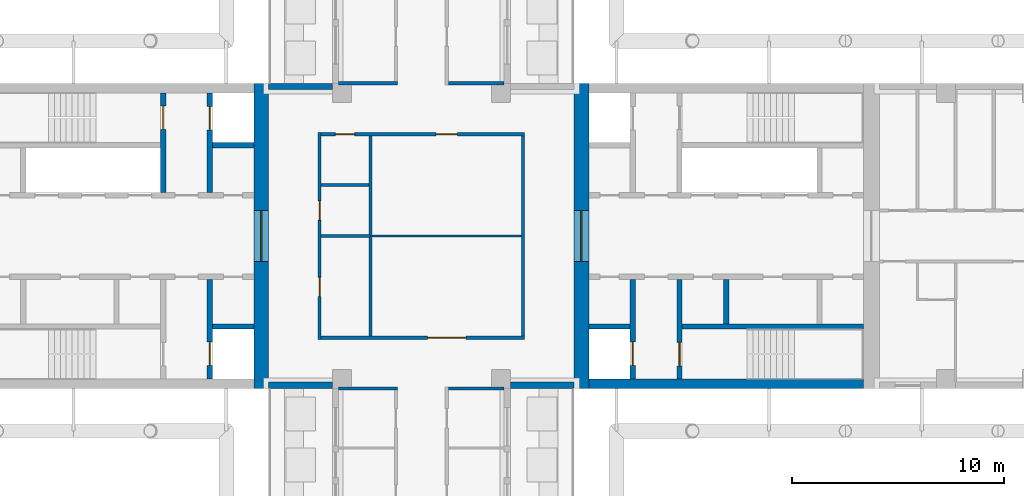
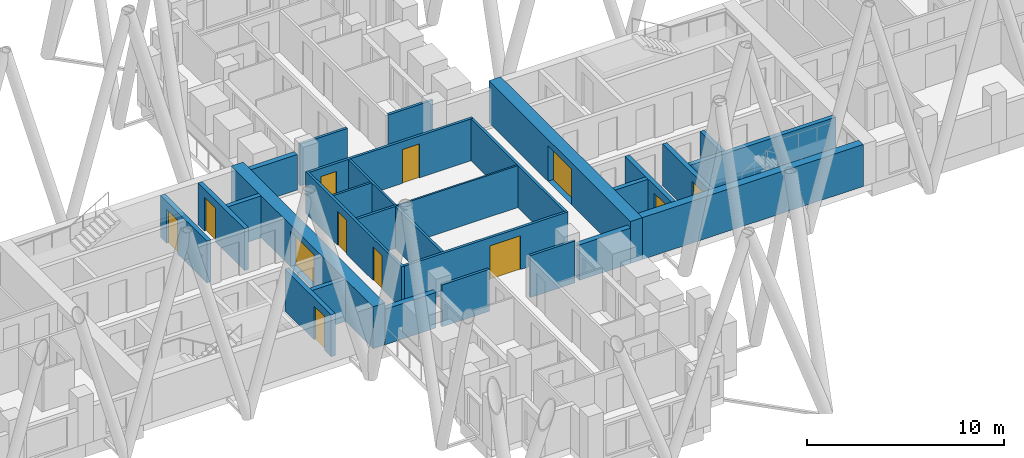
# One storey, part 6 of 13: 29 walls, 12 doors, 12 openings.
"""IFC4 building model written with IfcOpenShell, lengths in metres."""

from ifc_helpers import new_model, si_unit, direction, frame, frame_2d, origin, place, context, subcontext, project, spatial, rectangle, extrude, material, layer, layer_set, type_object, element, fill, save


model = new_model("IFC4")

# Units and contexts
model_context = context("Model", 3, precision=1e-05, world=origin(), true_north=direction((0.0, 1.0)))
body_context = subcontext(model_context, "Body", "Model", "MODEL_VIEW")
ifc_project = project(units=[si_unit("LENGTHUNIT", "METRE"), si_unit("AREAUNIT", "SQUARE_METRE"), si_unit("VOLUMEUNIT", "CUBIC_METRE"), si_unit("PLANEANGLEUNIT", "RADIAN"), si_unit("MASSUNIT", "GRAM", prefix="KILO")], contexts=[model_context])

# Site, building, storey
site_placement = place(None, origin())
site = spatial("IfcSite", under=ifc_project, at=site_placement, CompositionType="ELEMENT")
building_placement = place(site_placement, origin())
building = spatial("IfcBuilding", under=site, at=building_placement, Name="Fustian Cross Tower", CompositionType="ELEMENT")
storey_placement = place(building_placement, frame((0.0, 0.0, 153.300048828125)))
storey = spatial("IfcBuildingStorey", under=building, at=storey_placement, Name="L48", CompositionType="ELEMENT", Elevation=153.300048828125)

# Wall, openings, doors
ifc_material_1 = material(Name="Plasterboard on steel stud", Category="steel")
ifc_layer_1 = layer(ifc_material_1, 0.14990234375)
ifc_layer_set_1 = layer_set([ifc_layer_1], Name="Plasterboard on steel stud")
wall_type_1 = type_object("IfcWallType", Name="COMPARTMENT WALL 150 EI 60", PredefinedType="PARTITIONING", material=ifc_layer_set_1)
wall_1_placement = place(storey_placement, frame((-4.800048828125, -4.875, 0.0), z_axis=(0.0, 0.0, 1.0), x_axis=(0.0, 1.0, 0.0)))
wall_1 = element("IfcWall", 1, at=wall_1_placement, inside=storey, type_object=wall_type_1, Name="Partition 16", PredefinedType="PARTITIONING", context=body_context, shape_type="SweptSolid", body=[
    extrude(rectangle(XDim=9.75, YDim=0.14990234375, at=frame_2d((4.875, 0.0))), origin(), (0.0, 0.0, 1.0), 2.599853515625),
])
opening_1_placement = place(wall_1_placement, frame((5.625, 0.0, 0.0)))
opening_1 = element("IfcOpeningElement", 2, at=opening_1_placement, cuts=wall_1, Name="Opening D21002", PredefinedType="OPENING", context=body_context, shape_type="SweptSolid", body=[
    extrude(rectangle(XDim=0.89990234375, YDim=2.10009765625, at=frame_2d((0.449951171875, 1.050048828125))), frame((0.0, 0.0849609375, 0.0), z_axis=(0.0, -1.0, 0.0), x_axis=(1.0, 0.0, 0.0)), (0.0, 0.0, 1.0), 0.169921875),
])
opening_2_placement = place(wall_1_placement, frame((2.02490234375, 0.0, 0.0)))
opening_2 = element("IfcOpeningElement", 3, at=opening_2_placement, cuts=wall_1, Name="Opening D21003", PredefinedType="OPENING", context=body_context, shape_type="SweptSolid", body=[
    extrude(rectangle(XDim=0.89990234375, YDim=2.10009765625, at=frame_2d((0.449951171875, 1.050048828125))), frame((0.0, 0.0849609375, 0.0), z_axis=(0.0, -1.0, 0.0), x_axis=(1.0, 0.0, 0.0)), (0.0, 0.0, 1.0), 0.169921875),
])
ifc_material_2 = material(Name="Timber fire door set", Category="wood")
door_type_1 = type_object("IfcDoorType", Name="FIRE SWING DOOR 900 FD30S", OperationType="SINGLE_SWING_LEFT", PredefinedType="DOOR", material=ifc_material_2)
door_1_placement = place(opening_1_placement, frame((0.89990234375, 0.0, 0.0), z_axis=(0.0, 0.0, 1.0), x_axis=(-1.0, 0.0, 0.0)))
door_1 = element("IfcDoor", 4, at=door_1_placement, inside=storey, type_object=door_type_1, Name="Door D21002", OperationType="SINGLE_SWING_RIGHT", OverallHeight=2.10009765625, OverallWidth=0.89990234375, PredefinedType="DOOR", context=body_context, shape_type="SweptSolid", body=[
    extrude(rectangle(XDim=0.89990234375, YDim=2.10009765625, at=frame_2d((0.449951171875, 1.050048828125))), frame((0.0, 0.02490234375, 0.0), z_axis=(0.0, -1.0, 0.0), x_axis=(1.0, 0.0, 0.0)), (0.0, 0.0, 1.0), 0.050048828125),
])
fill(opening_1, door_1)
door_2_placement = place(opening_2_placement, frame((0.89990234375, 0.0, 0.0), z_axis=(0.0, 0.0, 1.0), x_axis=(-1.0, 0.0, 0.0)))
door_2 = element("IfcDoor", 5, at=door_2_placement, inside=storey, type_object=door_type_1, Name="Door D21003", OperationType="SINGLE_SWING_RIGHT", OverallHeight=2.10009765625, OverallWidth=0.89990234375, PredefinedType="DOOR", context=body_context, shape_type="SweptSolid", body=[
    extrude(rectangle(XDim=0.89990234375, YDim=2.10009765625, at=frame_2d((0.449951171875, 1.050048828125))), frame((0.0, 0.02490234375, 0.0), z_axis=(0.0, -1.0, 0.0), x_axis=(1.0, 0.0, 0.0)), (0.0, 0.0, 1.0), 0.050048828125),
])
fill(opening_2, door_2)

# Wall, opening, door
wall_2_placement = place(storey_placement, frame((-4.72509765625, -4.800048828125, 0.0), z_axis=(0.0, 0.0, 1.0), x_axis=(1.0, 0.0, 0.0)))
wall_2 = element("IfcWall", 6, at=wall_2_placement, inside=storey, type_object=wall_type_1, Name="Partition 17", PredefinedType="PARTITIONING", context=body_context, shape_type="SweptSolid", body=[
    extrude(rectangle(XDim=9.60009765625, YDim=0.14990234375, at=frame_2d((4.800048828125, 0.0))), origin(), (0.0, 0.0, 1.0), 2.599853515625),
])
opening_3_placement = place(wall_2_placement, frame((5.02490234375, 0.0, 0.0)))
opening_3 = element("IfcOpeningElement", 7, at=opening_3_placement, cuts=wall_2, Name="Opening D21005", PredefinedType="OPENING", context=body_context, shape_type="SweptSolid", body=[
    extrude(rectangle(XDim=1.800048828125, YDim=2.10009765625, at=frame_2d((0.89990234375, 1.050048828125))), frame((0.0, 0.0849609375, 0.0), z_axis=(0.0, -1.0, 0.0), x_axis=(1.0, 0.0, 0.0)), (0.0, 0.0, 1.0), 0.169921875),
])
ifc_material_3 = material(Name="Timber fire door set", Category="wood")
door_type_2 = type_object("IfcDoorType", Name="FIRE DOUBLE DOOR 1800 FD30S", OperationType="DOUBLE_DOOR_DOUBLE_SWING", PredefinedType="DOOR", material=ifc_material_3)
door_3_placement = place(opening_3_placement, frame((1.800048828125, 0.0, 0.0), z_axis=(0.0, 0.0, 1.0), x_axis=(-1.0, 0.0, 0.0)))
door_3 = element("IfcDoor", 8, at=door_3_placement, inside=storey, type_object=door_type_2, Name="Door D21005", OperationType="DOUBLE_DOOR_DOUBLE_SWING", OverallHeight=2.10009765625, OverallWidth=1.800048828125, PredefinedType="DOOR", context=body_context, shape_type="SweptSolid", body=[
    extrude(rectangle(XDim=1.800048828125, YDim=2.10009765625, at=frame_2d((0.89990234375, 1.050048828125))), frame((0.0, 0.02490234375, 0.0), z_axis=(0.0, -1.0, 0.0), x_axis=(1.0, 0.0, 0.0)), (0.0, 0.0, 1.0), 0.050048828125),
])
fill(opening_3, door_3)

# Wall
wall_3_placement = place(storey_placement, frame((-4.72509765625, 0.0, 0.0), z_axis=(0.0, 0.0, 1.0), x_axis=(1.0, 0.0, 0.0)))
element("IfcWall", 9, at=wall_3_placement, inside=storey, type_object=wall_type_1, Name="Partition 18", PredefinedType="PARTITIONING", context=body_context, shape_type="SweptSolid", body=[
    extrude(rectangle(XDim=2.3251953125, YDim=0.14990234375, at=frame_2d((1.16259765625, 0.0))), origin(), (0.0, 0.0, 1.0), 2.599853515625),
])

# Wall, openings, doors
wall_4_placement = place(storey_placement, frame((-4.72509765625, 4.800048828125, 0.0), z_axis=(0.0, 0.0, 1.0), x_axis=(1.0, 0.0, 0.0)))
wall_4 = element("IfcWall", 10, at=wall_4_placement, inside=storey, type_object=wall_type_1, Name="Partition 20", PredefinedType="PARTITIONING", context=body_context, shape_type="SweptSolid", body=[
    extrude(rectangle(XDim=9.60009765625, YDim=0.14990234375, at=frame_2d((4.800048828125, 0.0))), origin(), (0.0, 0.0, 1.0), 2.599853515625),
])
opening_4_placement = place(wall_4_placement, frame((0.675048828125, 0.0, 0.0)))
opening_4 = element("IfcOpeningElement", 11, at=opening_4_placement, cuts=wall_4, Name="Opening D21001", PredefinedType="OPENING", context=body_context, shape_type="SweptSolid", body=[
    extrude(rectangle(XDim=0.89990234375, YDim=2.10009765625, at=frame_2d((0.449951171875, 1.050048828125))), frame((0.0, 0.0849609375, 0.0), z_axis=(0.0, -1.0, 0.0), x_axis=(1.0, 0.0, 0.0)), (0.0, 0.0, 1.0), 0.169921875),
])
opening_5_placement = place(wall_4_placement, frame((5.425048828125, 0.0, 0.0)))
opening_5 = element("IfcOpeningElement", 12, at=opening_5_placement, cuts=wall_4, Name="Opening D21004", PredefinedType="OPENING", context=body_context, shape_type="SweptSolid", body=[
    extrude(rectangle(XDim=1.0, YDim=2.10009765625, at=frame_2d((0.5, 1.050048828125))), frame((0.0, 0.0849609375, 0.0), z_axis=(0.0, -1.0, 0.0), x_axis=(1.0, 0.0, 0.0)), (0.0, 0.0, 1.0), 0.169921875),
])
ifc_material_4 = material(Name="Timber fire door set", Category="wood")
door_type_3 = type_object("IfcDoorType", Name="FIRE SWING DOOR 1000 FD30S", OperationType="SINGLE_SWING_LEFT", PredefinedType="DOOR", material=ifc_material_4)
door_4_placement = place(opening_5_placement, frame((1.0, 0.0, 0.0), z_axis=(0.0, 0.0, 1.0), x_axis=(-1.0, 0.0, 0.0)))
door_4 = element("IfcDoor", 13, at=door_4_placement, inside=storey, type_object=door_type_3, Name="Door D21004", OperationType="SINGLE_SWING_RIGHT", OverallHeight=2.10009765625, OverallWidth=1.0, PredefinedType="DOOR", context=body_context, shape_type="SweptSolid", body=[
    extrude(rectangle(XDim=1.0, YDim=2.10009765625, at=frame_2d((0.5, 1.050048828125))), frame((0.0, 0.02490234375, 0.0), z_axis=(0.0, -1.0, 0.0), x_axis=(1.0, 0.0, 0.0)), (0.0, 0.0, 1.0), 0.050048828125),
])
fill(opening_5, door_4)
door_5_placement = place(opening_4_placement, frame((0.89990234375, 0.0, 0.0), z_axis=(0.0, 0.0, 1.0), x_axis=(-1.0, 0.0, 0.0)))
door_5 = element("IfcDoor", 14, at=door_5_placement, inside=storey, type_object=door_type_1, Name="Door D21001", OperationType="SINGLE_SWING_RIGHT", OverallHeight=2.10009765625, OverallWidth=0.89990234375, PredefinedType="DOOR", context=body_context, shape_type="SweptSolid", body=[
    extrude(rectangle(XDim=0.89990234375, YDim=2.10009765625, at=frame_2d((0.449951171875, 1.050048828125))), frame((0.0, 0.02490234375, 0.0), z_axis=(0.0, -1.0, 0.0), x_axis=(1.0, 0.0, 0.0)), (0.0, 0.0, 1.0), 0.050048828125),
])
fill(opening_4, door_5)

# Walls
for number, where, z_axis, x_axis, name in (
    (15, (-3.89990234375, -7.199951171875, 0.0), (0.0, 0.0, 1.0), (1.0, 0.0, 0.0), "Partition 23"),
    (16, (-3.89990234375, 7.199951171875, 0.0), (0.0, 0.0, 1.0), (1.0, 0.0, 0.0), "Partition 24"),
):
    element("IfcWall", number, at=place(storey_placement, frame(where, z_axis=z_axis, x_axis=x_axis)), inside=storey, type_object=wall_type_1, Name=name, PredefinedType="PARTITIONING", context=body_context, shape_type="SweptSolid", body=[
        extrude(rectangle(XDim=2.77490234375, YDim=0.14990234375, at=frame_2d((1.387451171875, 0.0))), origin(), (0.0, 0.0, 1.0), 2.599853515625),
    ])
wall_5_placement = place(storey_placement, frame((-2.39990234375, -4.72509765625, 0.0), z_axis=(0.0, 0.0, 1.0), x_axis=(0.0, 1.0, 0.0)))
element("IfcWall", 17, at=wall_5_placement, inside=storey, type_object=wall_type_1, Name="Partition 33", PredefinedType="PARTITIONING", context=body_context, shape_type="SweptSolid", body=[
    extrude(rectangle(XDim=4.650146484375, YDim=0.14990234375, at=frame_2d((2.3251953125, 0.0))), origin(), (0.0, 0.0, 1.0), 2.599853515625),
])
for number, where, z_axis, x_axis, name in (
    (18, (1.27490234375, -7.199951171875, 0.0), (0.0, 0.0, 1.0), (1.0, 0.0, 0.0), "Partition 45"),
    (19, (1.27490234375, 7.199951171875, 0.0), (0.0, 0.0, 1.0), (1.0, 0.0, 0.0), "Partition 47"),
):
    element("IfcWall", number, at=place(storey_placement, frame(where, z_axis=z_axis, x_axis=x_axis)), inside=storey, type_object=wall_type_1, Name=name, PredefinedType="PARTITIONING", context=body_context, shape_type="SweptSolid", body=[
        extrude(rectangle(XDim=2.625, YDim=0.14990234375, at=frame_2d((1.3125, 0.0))), origin(), (0.0, 0.0, 1.0), 2.599853515625),
    ])
wall_6_placement = place(storey_placement, frame((4.800048828125, -4.72509765625, 0.0), z_axis=(0.0, 0.0, 1.0), x_axis=(0.0, 1.0, 0.0)))
element("IfcWall", 20, at=wall_6_placement, inside=storey, type_object=wall_type_1, Name="Partition 54", PredefinedType="PARTITIONING", context=body_context, shape_type="SweptSolid", body=[
    extrude(rectangle(XDim=9.4501953125, YDim=0.14990234375, at=frame_2d((4.72509765625, 0.0))), origin(), (0.0, 0.0, 1.0), 2.599853515625),
])

# Wall, opening, door
ifc_material_5 = material(Name="Concrete C60/75", Category="concrete")
ifc_layer_2 = layer(ifc_material_5, 0.699951171875)
ifc_layer_set_2 = layer_set([ifc_layer_2], Name="Concrete C60/75")
wall_type_2 = type_object("IfcWallType", Name="CORE END WALL 700 C60/75", PredefinedType="SHEAR", material=ifc_layer_set_2)
wall_7_placement = place(storey_placement, frame((7.550048828125, -7.199951171875, 0.0), z_axis=(0.0, 0.0, 1.0), x_axis=(0.0, 1.0, 0.0)))
wall_7 = element("IfcWall", 21, at=wall_7_placement, inside=storey, type_object=wall_type_2, Name="Core end wall", PredefinedType="SHEAR", context=body_context, shape_type="SweptSolid", body=[
    extrude(rectangle(XDim=14.39990234375, YDim=0.699951171875, at=frame_2d((7.199951171875, 0.0))), origin(), (0.0, 0.0, 1.0), 2.599853515625),
])
opening_6_placement = place(wall_7_placement, frame((6.0, 0.0, 0.0)))
opening_6 = element("IfcOpeningElement", 22, at=opening_6_placement, cuts=wall_7, Name="Opening CD-16-12", PredefinedType="OPENING", context=body_context, shape_type="SweptSolid", body=[
    extrude(rectangle(XDim=2.39990234375, YDim=2.199951171875, at=frame_2d((1.199951171875, 1.10009765625))), frame((0.0, 0.35986328125, 0.0), z_axis=(0.0, -1.0, 0.0), x_axis=(1.0, 0.0, 0.0)), (0.0, 0.0, 1.0), 0.719970703125),
])
ifc_material_6 = material(Name="Steel", Category="steel")
door_type_4 = type_object("IfcDoorType", Name="FIRE DOOR FD30S DOUBLE 2400X2200", OperationType="DOUBLE_DOOR_DOUBLE_SWING", PredefinedType="DOOR", material=ifc_material_6)
door_6_placement = place(opening_6_placement, origin())
door_6 = element("IfcDoor", 23, at=door_6_placement, inside=storey, type_object=door_type_4, Name="Core door CD-16-12", OperationType="DOUBLE_DOOR_DOUBLE_SWING", OverallHeight=2.199951171875, OverallWidth=2.39990234375, PredefinedType="DOOR", context=body_context, shape_type="SweptSolid", body=[
    extrude(rectangle(XDim=2.39990234375, YDim=2.199951171875, at=frame_2d((1.199951171875, 1.10009765625))), frame((0.0, 0.02490234375, 0.0), z_axis=(0.0, -1.0, 0.0), x_axis=(1.0, 0.0, 0.0)), (0.0, 0.0, 1.0), 0.050048828125),
])
fill(opening_6, door_6)

wall_8_placement = place(storey_placement, frame((-7.550048828125, -7.199951171875, 0.0), z_axis=(0.0, 0.0, 1.0), x_axis=(0.0, 1.0, 0.0)))
wall_8 = element("IfcWall", 24, at=wall_8_placement, inside=storey, type_object=wall_type_2, Name="Core end wall", PredefinedType="SHEAR", context=body_context, shape_type="SweptSolid", body=[
    extrude(rectangle(XDim=14.39990234375, YDim=0.699951171875, at=frame_2d((7.199951171875, 0.0))), origin(), (0.0, 0.0, 1.0), 2.599853515625),
])
opening_7_placement = place(wall_8_placement, frame((6.0, 0.0, 0.0)))
opening_7 = element("IfcOpeningElement", 25, at=opening_7_placement, cuts=wall_8, Name="Opening CD-16-29", PredefinedType="OPENING", context=body_context, shape_type="SweptSolid", body=[
    extrude(rectangle(XDim=2.39990234375, YDim=2.199951171875, at=frame_2d((1.199951171875, 1.10009765625))), frame((0.0, 0.35986328125, 0.0), z_axis=(0.0, -1.0, 0.0), x_axis=(1.0, 0.0, 0.0)), (0.0, 0.0, 1.0), 0.719970703125),
])
door_7_placement = place(opening_7_placement, origin())
door_7 = element("IfcDoor", 26, at=door_7_placement, inside=storey, type_object=door_type_4, Name="Core door CD-16-29", OperationType="DOUBLE_DOOR_DOUBLE_SWING", OverallHeight=2.199951171875, OverallWidth=2.39990234375, PredefinedType="DOOR", context=body_context, shape_type="SweptSolid", body=[
    extrude(rectangle(XDim=2.39990234375, YDim=2.199951171875, at=frame_2d((1.199951171875, 1.10009765625))), frame((0.0, 0.02490234375, 0.0), z_axis=(0.0, -1.0, 0.0), x_axis=(1.0, 0.0, 0.0)), (0.0, 0.0, 1.0), 0.050048828125),
])
fill(opening_7, door_7)

# Walls
ifc_material_7 = material(Name="Concrete C60/75", Category="concrete")
ifc_layer_3 = layer(ifc_material_7, 0.449951171875)
ifc_layer_set_3 = layer_set([ifc_layer_3], Name="Concrete C60/75")
wall_type_3 = type_object("IfcWallType", Name="CORE FACADE WALL 450 C60/75", PredefinedType="SHEAR", material=ifc_layer_set_3)
wall_9_placement = place(storey_placement, frame((7.89990234375, -6.97509765625, 0.0), z_axis=(0.0, 0.0, 1.0), x_axis=(1.0, 0.0, 0.0)))
element("IfcWall", 27, at=wall_9_placement, inside=storey, type_object=wall_type_3, Name="Core facade wall", PredefinedType="SHEAR", context=body_context, shape_type="SweptSolid", body=[
    extrude(rectangle(XDim=12.9501953125, YDim=0.449951171875, at=frame_2d((6.47509765625, 0.0))), origin(), (0.0, 0.0, 1.0), 2.599853515625),
])
ifc_material_8 = material(Name="Concrete C50/60", Category="concrete")
ifc_layer_4 = layer(ifc_material_8, 0.25)
ifc_layer_set_4 = layer_set([ifc_layer_4], Name="Concrete C50/60")
wall_type_4 = type_object("IfcWallType", Name="CORE SHAFT WALL 250 C50/60", PredefinedType="SHEAR", material=ifc_layer_set_4)
wall_10_placement = place(storey_placement, frame((7.89990234375, -4.27490234375, 0.0), z_axis=(0.0, 0.0, 1.0), x_axis=(1.0, 0.0, 0.0)))
element("IfcWall", 28, at=wall_10_placement, inside=storey, type_object=wall_type_4, Name="Core shaft wall", PredefinedType="SHEAR", context=body_context, shape_type="SweptSolid", body=[
    extrude(rectangle(XDim=1.9501953125, YDim=0.25, at=frame_2d((0.97509765625, 0.0))), origin(), (0.0, 0.0, 1.0), 2.599853515625),
])
wall_11_placement = place(storey_placement, frame((12.300048828125, -4.27490234375, 0.0), z_axis=(0.0, 0.0, 1.0), x_axis=(1.0, 0.0, 0.0)))
element("IfcWall", 29, at=wall_11_placement, inside=storey, type_object=wall_type_4, Name="Core shaft wall", PredefinedType="SHEAR", context=body_context, shape_type="SweptSolid", body=[
    extrude(rectangle(XDim=8.550048828125, YDim=0.25, at=frame_2d((4.27490234375, 0.0))), origin(), (0.0, 0.0, 1.0), 2.599853515625),
])

# Wall, opening, door
wall_12_placement = place(storey_placement, frame((9.97509765625, -2.050048828125, 0.0), z_axis=(0.0, 0.0, 1.0), x_axis=(0.0, -1.0, 0.0)))
wall_12 = element("IfcWall", 30, at=wall_12_placement, inside=storey, type_object=wall_type_4, Name="Core shaft wall", PredefinedType="SHEAR", context=body_context, shape_type="SweptSolid", body=[
    extrude(rectangle(XDim=4.699951171875, YDim=0.25, at=frame_2d((2.35009765625, 0.0))), origin(), (0.0, 0.0, 1.0), 2.599853515625),
])
opening_8_placement = place(wall_12_placement, frame((2.949951171875, 0.0, 0.0)))
opening_8 = element("IfcOpeningElement", 31, at=opening_8_placement, cuts=wall_12, Name="Opening LD", PredefinedType="OPENING", context=body_context, shape_type="SweptSolid", body=[
    extrude(rectangle(XDim=1.10009765625, YDim=2.10009765625, at=frame_2d((0.550048828125, 1.050048828125))), frame((0.0, 0.135009765625, 0.0), z_axis=(0.0, -1.0, 0.0), x_axis=(1.0, 0.0, 0.0)), (0.0, 0.0, 1.0), 0.27001953125),
])
ifc_material_9 = material(Name="Stainless steel", Category="steel")
door_type_5 = type_object("IfcDoorType", Name="LIFT LANDING DOOR 1100X2100", OperationType="SLIDING_TO_LEFT", PredefinedType="DOOR", material=ifc_material_9)
door_8_placement = place(opening_8_placement, origin())
door_8 = element("IfcDoor", 32, at=door_8_placement, inside=storey, type_object=door_type_5, Name="Landing door SV1", OperationType="SLIDING_TO_LEFT", OverallHeight=2.10009765625, OverallWidth=1.10009765625, PredefinedType="DOOR", context=body_context, shape_type="SweptSolid", body=[
    extrude(rectangle(XDim=1.10009765625, YDim=2.10009765625, at=frame_2d((0.550048828125, 1.050048828125))), frame((0.0, 0.02490234375, 0.0), z_axis=(0.0, -1.0, 0.0), x_axis=(1.0, 0.0, 0.0)), (0.0, 0.0, 1.0), 0.050048828125),
])
fill(opening_8, door_8)

wall_13_placement = place(storey_placement, frame((12.175048828125, -2.050048828125, 0.0), z_axis=(0.0, 0.0, 1.0), x_axis=(0.0, -1.0, 0.0)))
wall_13 = element("IfcWall", 33, at=wall_13_placement, inside=storey, type_object=wall_type_4, Name="Core shaft wall", PredefinedType="SHEAR", context=body_context, shape_type="SweptSolid", body=[
    extrude(rectangle(XDim=4.699951171875, YDim=0.25, at=frame_2d((2.35009765625, 0.0))), origin(), (0.0, 0.0, 1.0), 2.599853515625),
])
opening_9_placement = place(wall_13_placement, frame((2.97509765625, 0.0, 0.0)))
opening_9 = element("IfcOpeningElement", 34, at=opening_9_placement, cuts=wall_13, Name="Opening CD-16-07", PredefinedType="OPENING", context=body_context, shape_type="SweptSolid", body=[
    extrude(rectangle(XDim=1.10009765625, YDim=2.10009765625, at=frame_2d((0.550048828125, 1.050048828125))), frame((0.0, 0.135009765625, 0.0), z_axis=(0.0, -1.0, 0.0), x_axis=(1.0, 0.0, 0.0)), (0.0, 0.0, 1.0), 0.27001953125),
])
ifc_material_10 = material(Name="Steel", Category="steel")
door_type_6 = type_object("IfcDoorType", Name="FIRE DOOR FD60S 1100X2100", OperationType="SINGLE_SWING_LEFT", PredefinedType="DOOR", material=ifc_material_10)
door_9_placement = place(opening_9_placement, origin())
door_9 = element("IfcDoor", 35, at=door_9_placement, inside=storey, type_object=door_type_6, Name="Core door CD-16-07", OperationType="SINGLE_SWING_LEFT", OverallHeight=2.10009765625, OverallWidth=1.10009765625, PredefinedType="DOOR", context=body_context, shape_type="SweptSolid", body=[
    extrude(rectangle(XDim=1.10009765625, YDim=2.10009765625, at=frame_2d((0.550048828125, 1.050048828125))), frame((0.0, 0.02490234375, 0.0), z_axis=(0.0, -1.0, 0.0), x_axis=(1.0, 0.0, 0.0)), (0.0, 0.0, 1.0), 0.050048828125),
])
fill(opening_9, door_9)

# Wall
wall_14_placement = place(storey_placement, frame((-7.89990234375, 4.27490234375, 0.0), z_axis=(0.0, 0.0, 1.0), x_axis=(-1.0, 0.0, 0.0)))
element("IfcWall", 36, at=wall_14_placement, inside=storey, type_object=wall_type_4, Name="Core shaft wall", PredefinedType="SHEAR", context=body_context, shape_type="SweptSolid", body=[
    extrude(rectangle(XDim=1.9501953125, YDim=0.25, at=frame_2d((0.97509765625, 0.0))), origin(), (0.0, 0.0, 1.0), 2.599853515625),
])

# Wall, opening, door
wall_15_placement = place(storey_placement, frame((-9.97509765625, 2.050048828125, 0.0), z_axis=(0.0, 0.0, 1.0), x_axis=(0.0, 1.0, 0.0)))
wall_15 = element("IfcWall", 37, at=wall_15_placement, inside=storey, type_object=wall_type_4, Name="Core shaft wall", PredefinedType="SHEAR", context=body_context, shape_type="SweptSolid", body=[
    extrude(rectangle(XDim=4.699951171875, YDim=0.25, at=frame_2d((2.35009765625, 0.0))), origin(), (0.0, 0.0, 1.0), 2.599853515625),
])
opening_10_placement = place(wall_15_placement, frame((2.949951171875, 0.0, 0.0)))
opening_10 = element("IfcOpeningElement", 38, at=opening_10_placement, cuts=wall_15, Name="Opening LD", PredefinedType="OPENING", context=body_context, shape_type="SweptSolid", body=[
    extrude(rectangle(XDim=1.10009765625, YDim=2.10009765625, at=frame_2d((0.550048828125, 1.050048828125))), frame((0.0, 0.135009765625, 0.0), z_axis=(0.0, -1.0, 0.0), x_axis=(1.0, 0.0, 0.0)), (0.0, 0.0, 1.0), 0.27001953125),
])
door_10_placement = place(opening_10_placement, origin())
door_10 = element("IfcDoor", 39, at=door_10_placement, inside=storey, type_object=door_type_5, Name="Landing door FL1W", OperationType="SLIDING_TO_LEFT", OverallHeight=2.10009765625, OverallWidth=1.10009765625, PredefinedType="DOOR", context=body_context, shape_type="SweptSolid", body=[
    extrude(rectangle(XDim=1.10009765625, YDim=2.10009765625, at=frame_2d((0.550048828125, 1.050048828125))), frame((0.0, 0.02490234375, 0.0), z_axis=(0.0, -1.0, 0.0), x_axis=(1.0, 0.0, 0.0)), (0.0, 0.0, 1.0), 0.050048828125),
])
fill(opening_10, door_10)

wall_16_placement = place(storey_placement, frame((-12.175048828125, 2.050048828125, 0.0), z_axis=(0.0, 0.0, 1.0), x_axis=(0.0, 1.0, 0.0)))
wall_16 = element("IfcWall", 40, at=wall_16_placement, inside=storey, type_object=wall_type_4, Name="Core shaft wall", PredefinedType="SHEAR", context=body_context, shape_type="SweptSolid", body=[
    extrude(rectangle(XDim=4.699951171875, YDim=0.25, at=frame_2d((2.35009765625, 0.0))), origin(), (0.0, 0.0, 1.0), 2.599853515625),
])
opening_11_placement = place(wall_16_placement, frame((2.97509765625, 0.0, 0.0)))
opening_11 = element("IfcOpeningElement", 41, at=opening_11_placement, cuts=wall_16, Name="Opening CD-16-23", PredefinedType="OPENING", context=body_context, shape_type="SweptSolid", body=[
    extrude(rectangle(XDim=1.10009765625, YDim=2.10009765625, at=frame_2d((0.550048828125, 1.050048828125))), frame((0.0, 0.135009765625, 0.0), z_axis=(0.0, -1.0, 0.0), x_axis=(1.0, 0.0, 0.0)), (0.0, 0.0, 1.0), 0.27001953125),
])
door_11_placement = place(opening_11_placement, origin())
door_11 = element("IfcDoor", 42, at=door_11_placement, inside=storey, type_object=door_type_6, Name="Core door CD-16-23", OperationType="SINGLE_SWING_LEFT", OverallHeight=2.10009765625, OverallWidth=1.10009765625, PredefinedType="DOOR", context=body_context, shape_type="SweptSolid", body=[
    extrude(rectangle(XDim=1.10009765625, YDim=2.10009765625, at=frame_2d((0.550048828125, 1.050048828125))), frame((0.0, 0.02490234375, 0.0), z_axis=(0.0, -1.0, 0.0), x_axis=(1.0, 0.0, 0.0)), (0.0, 0.0, 1.0), 0.050048828125),
])
fill(opening_11, door_11)

# Wall
wall_17_placement = place(storey_placement, frame((-7.89990234375, -4.27490234375, 0.0), z_axis=(0.0, 0.0, 1.0), x_axis=(-1.0, 0.0, 0.0)))
element("IfcWall", 43, at=wall_17_placement, inside=storey, type_object=wall_type_4, Name="Core shaft wall", PredefinedType="SHEAR", context=body_context, shape_type="SweptSolid", body=[
    extrude(rectangle(XDim=1.9501953125, YDim=0.25, at=frame_2d((0.97509765625, 0.0))), origin(), (0.0, 0.0, 1.0), 2.599853515625),
])

# Wall, opening, door
wall_18_placement = place(storey_placement, frame((-9.97509765625, -2.050048828125, 0.0), z_axis=(0.0, 0.0, 1.0), x_axis=(0.0, -1.0, 0.0)))
wall_18 = element("IfcWall", 44, at=wall_18_placement, inside=storey, type_object=wall_type_4, Name="Core shaft wall", PredefinedType="SHEAR", context=body_context, shape_type="SweptSolid", body=[
    extrude(rectangle(XDim=4.699951171875, YDim=0.25, at=frame_2d((2.35009765625, 0.0))), origin(), (0.0, 0.0, 1.0), 2.599853515625),
])
opening_12_placement = place(wall_18_placement, frame((2.949951171875, 0.0, 0.0)))
opening_12 = element("IfcOpeningElement", 45, at=opening_12_placement, cuts=wall_18, Name="Opening LD", PredefinedType="OPENING", context=body_context, shape_type="SweptSolid", body=[
    extrude(rectangle(XDim=1.10009765625, YDim=2.10009765625, at=frame_2d((0.550048828125, 1.050048828125))), frame((0.0, 0.135009765625, 0.0), z_axis=(0.0, -1.0, 0.0), x_axis=(1.0, 0.0, 0.0)), (0.0, 0.0, 1.0), 0.27001953125),
])
door_12_placement = place(opening_12_placement, origin())
door_12 = element("IfcDoor", 46, at=door_12_placement, inside=storey, type_object=door_type_5, Name="Landing door SV1W", OperationType="SLIDING_TO_LEFT", OverallHeight=2.10009765625, OverallWidth=1.10009765625, PredefinedType="DOOR", context=body_context, shape_type="SweptSolid", body=[
    extrude(rectangle(XDim=1.10009765625, YDim=2.10009765625, at=frame_2d((0.550048828125, 1.050048828125))), frame((0.0, 0.02490234375, 0.0), z_axis=(0.0, -1.0, 0.0), x_axis=(1.0, 0.0, 0.0)), (0.0, 0.0, 1.0), 0.050048828125),
])
fill(opening_12, door_12)

# Walls
ifc_material_11 = material(Name="Plasterboard on steel stud", Category="steel")
ifc_layer_5 = layer(ifc_material_11, 0.10009765625)
ifc_layer_set_5 = layer_set([ifc_layer_5], Name="Plasterboard on steel stud")
wall_type_5 = type_object("IfcWallType", Name="PARTITION 100 STUD", PredefinedType="PARTITIONING", material=ifc_layer_set_5)
wall_19_placement = place(storey_placement, frame((-2.39990234375, 0.0, 0.0), z_axis=(0.0, 0.0, 1.0), x_axis=(1.0, 0.0, 0.0)))
element("IfcWall", 47, at=wall_19_placement, inside=storey, type_object=wall_type_5, Name="Partition 35", PredefinedType="PARTITIONING", context=body_context, shape_type="SweptSolid", body=[
    extrude(rectangle(XDim=7.125, YDim=0.10009765625, at=frame_2d((3.5625, 0.0))), origin(), (0.0, 0.0, 1.0), 2.599853515625),
])
ifc_material_12 = material(Name="Concrete C40/50", Category="concrete")
ifc_layer_6 = layer(ifc_material_12, 0.25)
ifc_layer_set_6 = layer_set([ifc_layer_6], Name="Concrete C40/50")
wall_type_6 = type_object("IfcWallType", Name="SHAFT PARTITION WALL 250 C40/50", PredefinedType="PARTITIONING", material=ifc_layer_set_6)
wall_20_placement = place(storey_placement, frame((14.375, -2.050048828125, 0.0), z_axis=(0.0, 0.0, 1.0), x_axis=(0.0, -1.0, 0.0)))
element("IfcWall", 48, at=wall_20_placement, inside=storey, type_object=wall_type_6, Name="Core shaft wall", PredefinedType="PARTITIONING", context=body_context, shape_type="SweptSolid", body=[
    extrude(rectangle(XDim=2.099853515625, YDim=0.25, at=frame_2d((1.0498046875, 0.0))), origin(), (0.0, 0.0, 1.0), 2.599853515625),
])
ifc_material_13 = material(Name="Plasterboard on steel stud", Category="steel")
ifc_layer_7 = layer(ifc_material_13, 0.125)
ifc_layer_set_7 = layer_set([ifc_layer_7], Name="Plasterboard on steel stud")
wall_type_7 = type_object("IfcWallType", Name="WET WALL 125 STUD", PredefinedType="PARTITIONING", material=ifc_layer_set_7)
wall_21_placement = place(storey_placement, frame((-4.72509765625, 2.39990234375, 0.0), z_axis=(0.0, 0.0, 1.0), x_axis=(1.0, 0.0, 0.0)))
element("IfcWall", 49, at=wall_21_placement, inside=storey, type_object=wall_type_7, Name="Partition 19", PredefinedType="PARTITIONING", context=body_context, shape_type="SweptSolid", body=[
    extrude(rectangle(XDim=2.2626953125, YDim=0.125, at=frame_2d((1.13134765625, 0.0))), origin(), (0.0, 0.0, 1.0), 2.599853515625),
])
wall_22_placement = place(storey_placement, frame((-2.39990234375, 0.074951171875, 0.0), z_axis=(0.0, 0.0, 1.0), x_axis=(0.0, 1.0, 0.0)))
element("IfcWall", 50, at=wall_22_placement, inside=storey, type_object=wall_type_7, Name="Partition 34", PredefinedType="PARTITIONING", context=body_context, shape_type="SweptSolid", body=[
    extrude(rectangle(XDim=4.650146484375, YDim=0.125, at=frame_2d((2.3251953125, 0.0))), origin(), (0.0, 0.0, 1.0), 2.599853515625),
])
ifc_material_14 = material(Name="Dark aluminium cladding on insulated backing wall", Category="aluminium")
ifc_layer_8 = layer(ifc_material_14, 0.300048828125)
ifc_layer_set_8 = layer_set([ifc_layer_8], Name="Dark aluminium cladding on insulated backing wall")
wall_type_8 = type_object("IfcWallType", Name="XW1 EXTERNAL WALL 300", PredefinedType="SOLIDWALL", material=ifc_layer_set_8)
for number, where, z_axis, x_axis, name in (
    (51, (-4.199951171875, 7.050048828125, 0.0), (0.0, 0.0, 1.0), (-1.0, 0.0, 0.0), "External wall"),
    (52, (-7.199951171875, -7.050048828125, 0.0), (0.0, 0.0, 1.0), (1.0, 0.0, 0.0), "External wall"),
    (53, (4.199951171875, -7.050048828125, 0.0), (0.0, 0.0, 1.0), (1.0, 0.0, 0.0), "External wall"),
):
    element("IfcWall", number, at=place(storey_placement, frame(where, z_axis=z_axis, x_axis=x_axis)), inside=storey, type_object=wall_type_8, Name=name, PredefinedType="SOLIDWALL", context=body_context, shape_type="SweptSolid", body=[
        extrude(rectangle(XDim=3.0, YDim=0.300048828125, at=frame_2d((1.5, 0.0))), origin(), (0.0, 0.0, 1.0), 2.199951171875),
    ])

save(model, "model.ifc")
